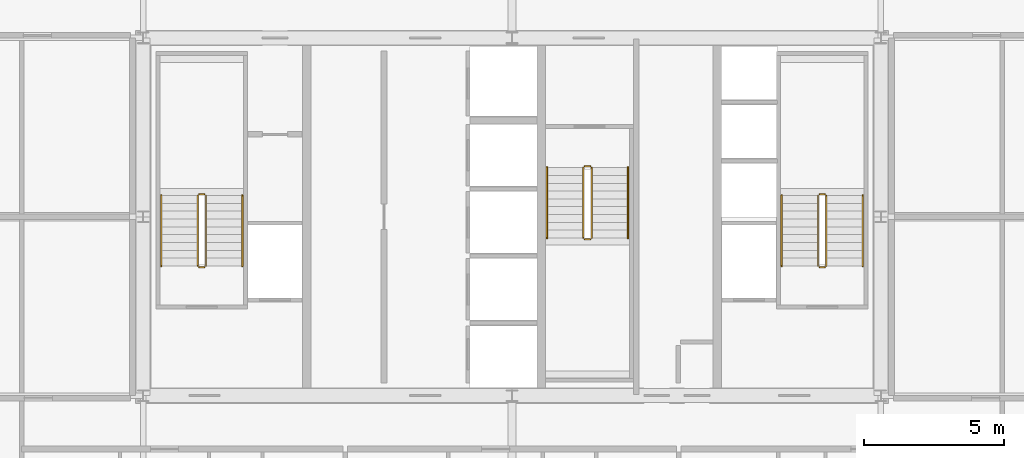
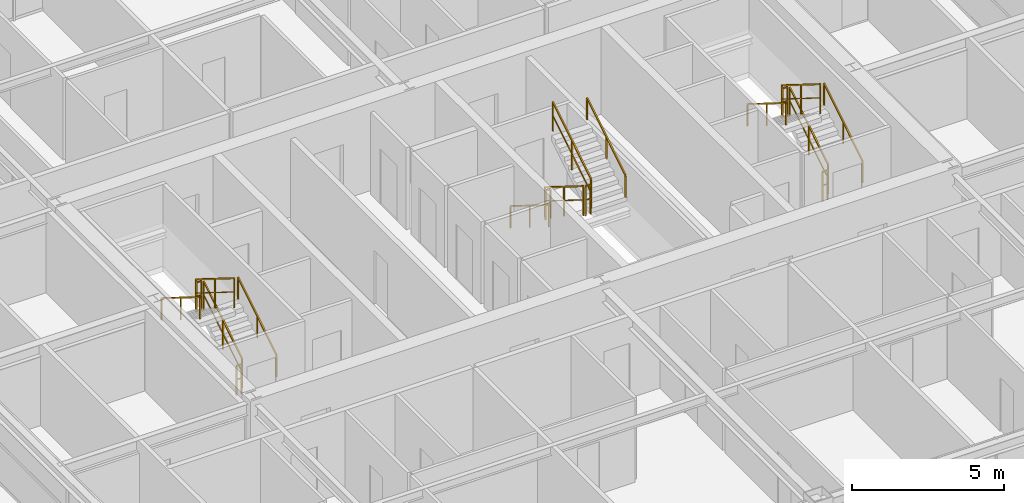
# One storey, part 37 of 37: 18 railings.
"""IFC4 building model written with IfcOpenShell, lengths in metres."""

from ifc_helpers import new_model, si_unit, direction, frame, origin, origin_2d, place, context, subcontext, project, spatial, rectangle, extrude, source, transform, mapped, material, layer, layer_set, type_object, element, save


model = new_model("IFC4")

# Units and contexts
model_context = context("Model", 3, precision=1e-05, world=origin(), true_north=direction((0.0, 1.0)))
body_context = subcontext(model_context, "Body", "Model", "MODEL_VIEW")
ifc_project = project(units=[si_unit("LENGTHUNIT", "METRE"), si_unit("AREAUNIT", "SQUARE_METRE"), si_unit("VOLUMEUNIT", "CUBIC_METRE"), si_unit("PLANEANGLEUNIT", "RADIAN"), si_unit("MASSUNIT", "GRAM", prefix="KILO"), si_unit("THERMODYNAMICTEMPERATUREUNIT", "KELVIN"), si_unit("POWERUNIT", "WATT")], contexts=[model_context])

# Site, building, storey
site_placement = place(None, origin())
site = spatial("IfcSite", under=ifc_project, at=site_placement, CompositionType="ELEMENT")
building_placement = place(site_placement, origin())
building = spatial("IfcBuilding", under=site, at=building_placement, Name="Yuzanri Waterfront Tower", CompositionType="ELEMENT")
storey_placement = place(building_placement, frame((0.0, 0.0, 252.10009765625)))
storey = spatial("IfcBuildingStorey", under=building, at=storey_placement, Name="L67", CompositionType="ELEMENT", Elevation=252.10009765625)

# Railings
ifc_material_1 = material(Name="Painted Galvanized Fire Steel", Category="steel")
ifc_layer_1 = layer(ifc_material_1, 0.06005859375)
ifc_layer_set_1 = layer_set([ifc_layer_1], Name="Painted Galvanized Fire Steel")
railing_type_1 = type_object("IfcRailingType", Name="Painted Steel Stairwell Guardrail 1120", PredefinedType="GUARDRAIL", material=ifc_layer_set_1)
shared_shape_1 = source(origin(), body_context, "Body", "SweptSolid", [
    extrude(rectangle(XDim=0.050048828125, YDim=0.050048828125, at=origin_2d()), frame((0.0, 0.0, 1.1748046875), z_axis=(-1.0, 0.0, 0.0), x_axis=(0.0, -1.0, 0.0)), (0.0, 0.0, 1.0), 0.199951171875),
    extrude(rectangle(XDim=0.035888671875, YDim=0.030029296875, at=origin_2d()), frame((0.0, 0.0, 0.6240234375), z_axis=(-1.0, 0.0, 0.0), x_axis=(0.0, -1.0, 0.0)), (0.0, 0.0, 1.0), 0.199951171875),
    extrude(rectangle(XDim=0.0458984375, YDim=0.0458984375, at=origin_2d()), origin(), (0.0, 0.0, 1.0), 1.14990234375),
    extrude(rectangle(XDim=0.0458984375, YDim=0.0458984375, at=origin_2d()), frame((-0.199951171875, 0.0, 0.0)), (0.0, 0.0, 1.0), 1.14990234375),
])
for number, where, name in (
    (1, (26.0, 26.610107421875, 1.75), "L67 ST-01 stair guard 2"),
    (2, (26.0, 23.989990234375, 0.0), "L67 ST-01 stair guard 4"),
    (3, (48.199951171875, 26.610107421875, 1.75), "L67 ST-02 stair guard 2"),
    (4, (48.199951171875, 23.989990234375, 0.0), "L67 ST-02 stair guard 4"),
):
    element("IfcRailing", number, at=place(storey_placement, frame(where)), inside=storey, type_object=railing_type_1, Name=name, PredefinedType="GUARDRAIL", context=body_context, shape_type="MappedRepresentation", body=[
        mapped(shared_shape_1, transform((0.0, 0.0, 0.0), scale=1.0)),
    ])
shared_shape_2 = source(origin(), body_context, "Body", "SweptSolid", [
    extrude(rectangle(XDim=0.050048828125, YDim=0.050048828125, at=origin_2d()), frame((0.0, 0.0, 1.1748046875), z_axis=(0.0, 0.847970611238, 0.530043245855), x_axis=(-1.0, 0.0, 0.0)), (0.0, 0.0, 1.0), 2.971923828125),
    extrude(rectangle(XDim=0.035888671875, YDim=0.030029296875, at=origin_2d()), frame((0.0, 0.0, 0.6240234375), z_axis=(0.0, 0.847970611238, 0.530043245855), x_axis=(-1.0, 0.0, 0.0)), (0.0, 0.0, 1.0), 2.971923828125),
    extrude(rectangle(XDim=0.0458984375, YDim=0.0458984375, at=origin_2d()), origin(), (0.0, 0.0, 1.0), 1.14990234375),
    extrude(rectangle(XDim=0.0458984375, YDim=0.0458984375, at=origin_2d()), frame((0.0, 1.260009765625, 0.78759765625)), (0.0, 0.0, 1.0), 1.14990234375),
    extrude(rectangle(XDim=0.0458984375, YDim=0.0458984375, at=origin_2d()), frame((0.0, 2.52001953125, 1.5751953125)), (0.0, 0.0, 1.0), 1.14990234375),
])
for number, where, name in (
    (5, (26.050048828125, 24.0400390625, 0.1748046875), "L67 ST-01 stair guard 1"),
    (6, (48.25, 24.0400390625, 0.1748046875), "L67 ST-02 stair guard 1"),
    (7, (39.85009765625, 25.0400390625, 1.9248046875), "L67 ST-03 stair guard 3"),
):
    element("IfcRailing", number, at=place(storey_placement, frame(where)), inside=storey, type_object=railing_type_1, Name=name, PredefinedType="GUARDRAIL", context=body_context, shape_type="MappedRepresentation", body=[
        mapped(shared_shape_2, transform((0.0, 0.0, 0.0), scale=1.0)),
    ])
shared_shape_3 = source(origin(), body_context, "Body", "SweptSolid", [
    extrude(rectangle(XDim=0.050048828125, YDim=0.050048828125, at=origin_2d()), frame((0.0, 0.0, 1.1748046875), z_axis=(0.0, -0.847970611238, 0.530043245855), x_axis=(1.0, 0.0, 0.0)), (0.0, 0.0, 1.0), 2.971923828125),
    extrude(rectangle(XDim=0.035888671875, YDim=0.030029296875, at=origin_2d()), frame((0.0, 0.0, 0.6240234375), z_axis=(0.0, -0.847970611238, 0.530043245855), x_axis=(1.0, 0.0, 0.0)), (0.0, 0.0, 1.0), 2.971923828125),
    extrude(rectangle(XDim=0.0458984375, YDim=0.0458984375, at=origin_2d()), origin(), (0.0, 0.0, 1.0), 1.14990234375),
    extrude(rectangle(XDim=0.0458984375, YDim=0.0458984375, at=origin_2d()), frame((0.0, -1.260009765625, 0.78759765625)), (0.0, 0.0, 1.0), 1.14990234375),
    extrude(rectangle(XDim=0.0458984375, YDim=0.0458984375, at=origin_2d()), frame((0.0, -2.52001953125, 1.5751953125)), (0.0, 0.0, 1.0), 1.14990234375),
])
for number, where, name in (
    (8, (25.75, 26.56005859375, 1.9248046875), "L67 ST-01 stair guard 3"),
    (9, (47.949951171875, 26.56005859375, 1.9248046875), "L67 ST-02 stair guard 3"),
    (10, (39.550048828125, 27.56005859375, 0.1748046875), "L67 ST-03 stair guard 1"),
):
    element("IfcRailing", number, at=place(storey_placement, frame(where)), inside=storey, type_object=railing_type_1, Name=name, PredefinedType="GUARDRAIL", context=body_context, shape_type="MappedRepresentation", body=[
        mapped(shared_shape_3, transform((0.0, 0.0, 0.0), scale=1.0)),
    ])
ifc_material_2 = material(Name="Anodized Architectural Bronze", Category="metal")
ifc_layer_2 = layer(ifc_material_2, 0.050048828125)
ifc_layer_set_2 = layer_set([ifc_layer_2], Name="Anodized Architectural Bronze")
railing_type_2 = type_object("IfcRailingType", Name="Brushed Bronze Stair Pitch Handrail 920", PredefinedType="HANDRAIL", material=ifc_layer_set_2)
shared_shape_4 = source(origin(), body_context, "Body", "SweptSolid", [
    extrude(rectangle(XDim=0.050048828125, YDim=0.050048828125, at=origin_2d()), frame((0.0, 0.0, 0.875), z_axis=(0.0, 0.847970611238, 0.530043245855), x_axis=(-1.0, 0.0, 0.0)), (0.0, 0.0, 1.0), 2.971923828125),
    extrude(rectangle(XDim=0.0458984375, YDim=0.0458984375, at=origin_2d()), origin(), (0.0, 0.0, 1.0), 0.849853515625),
    extrude(rectangle(XDim=0.0458984375, YDim=0.0458984375, at=origin_2d()), frame((0.0, 1.260009765625, 0.78759765625)), (0.0, 0.0, 1.0), 0.849853515625),
    extrude(rectangle(XDim=0.0458984375, YDim=0.0458984375, at=origin_2d()), frame((0.0, 2.52001953125, 1.5751953125)), (0.0, 0.0, 1.0), 0.849853515625),
])
for number, where, name in (
    (11, (27.35009765625, 24.0400390625, 0.1748046875), "L67 ST-01 stair handrail 1"),
    (12, (49.550048828125, 24.0400390625, 0.1748046875), "L67 ST-02 stair handrail 1"),
    (13, (41.14990234375, 25.0400390625, 1.9248046875), "L67 ST-03 stair handrail 2"),
):
    element("IfcRailing", number, at=place(storey_placement, frame(where)), inside=storey, type_object=railing_type_2, Name=name, PredefinedType="HANDRAIL", context=body_context, shape_type="MappedRepresentation", body=[
        mapped(shared_shape_4, transform((0.0, 0.0, 0.0), scale=1.0)),
    ])
shared_shape_5 = source(origin(), body_context, "Body", "SweptSolid", [
    extrude(rectangle(XDim=0.050048828125, YDim=0.050048828125, at=origin_2d()), frame((0.0, 0.0, 0.875), z_axis=(0.0, -0.847970611238, 0.530043245855), x_axis=(1.0, 0.0, 0.0)), (0.0, 0.0, 1.0), 2.971923828125),
    extrude(rectangle(XDim=0.0458984375, YDim=0.0458984375, at=origin_2d()), origin(), (0.0, 0.0, 1.0), 0.849853515625),
    extrude(rectangle(XDim=0.0458984375, YDim=0.0458984375, at=origin_2d()), frame((0.0, -1.260009765625, 0.78759765625)), (0.0, 0.0, 1.0), 0.849853515625),
    extrude(rectangle(XDim=0.0458984375, YDim=0.0458984375, at=origin_2d()), frame((0.0, -2.52001953125, 1.5751953125)), (0.0, 0.0, 1.0), 0.849853515625),
])
for number, where, name in (
    (14, (24.449951171875, 26.56005859375, 1.9248046875), "L67 ST-01 stair handrail 2"),
    (15, (46.64990234375, 26.56005859375, 1.9248046875), "L67 ST-02 stair handrail 2"),
    (16, (38.25, 27.56005859375, 0.1748046875), "L67 ST-03 stair handrail 1"),
):
    element("IfcRailing", number, at=place(storey_placement, frame(where)), inside=storey, type_object=railing_type_2, Name=name, PredefinedType="HANDRAIL", context=body_context, shape_type="MappedRepresentation", body=[
        mapped(shared_shape_5, transform((0.0, 0.0, 0.0), scale=1.0)),
    ])
shared_shape_6 = source(origin(), body_context, "Body", "SweptSolid", [
    extrude(rectangle(XDim=0.050048828125, YDim=0.050048828125, at=origin_2d()), frame((0.0, 0.0, 1.1748046875), z_axis=(1.0, 0.0, 0.0), x_axis=(0.0, 1.0, 0.0)), (0.0, 0.0, 1.0), 0.199951171875),
    extrude(rectangle(XDim=0.035888671875, YDim=0.030029296875, at=origin_2d()), frame((0.0, 0.0, 0.6240234375), z_axis=(1.0, 0.0, 0.0), x_axis=(0.0, 1.0, 0.0)), (0.0, 0.0, 1.0), 0.199951171875),
    extrude(rectangle(XDim=0.0458984375, YDim=0.0458984375, at=origin_2d()), origin(), (0.0, 0.0, 1.0), 1.14990234375),
    extrude(rectangle(XDim=0.0458984375, YDim=0.0458984375, at=origin_2d()), frame((0.199951171875, 0.0, 0.0)), (0.0, 0.0, 1.0), 1.14990234375),
])
for number, where, name in (
    (17, (39.60009765625, 24.989990234375, 1.75), "L67 ST-03 stair guard 2"),
    (18, (39.60009765625, 27.610107421875, 0.0), "L67 ST-03 stair guard 4"),
):
    element("IfcRailing", number, at=place(storey_placement, frame(where)), inside=storey, type_object=railing_type_1, Name=name, PredefinedType="GUARDRAIL", context=body_context, shape_type="MappedRepresentation", body=[
        mapped(shared_shape_6, transform((0.0, 0.0, 0.0), scale=1.0)),
    ])

save(model, "model.ifc")
